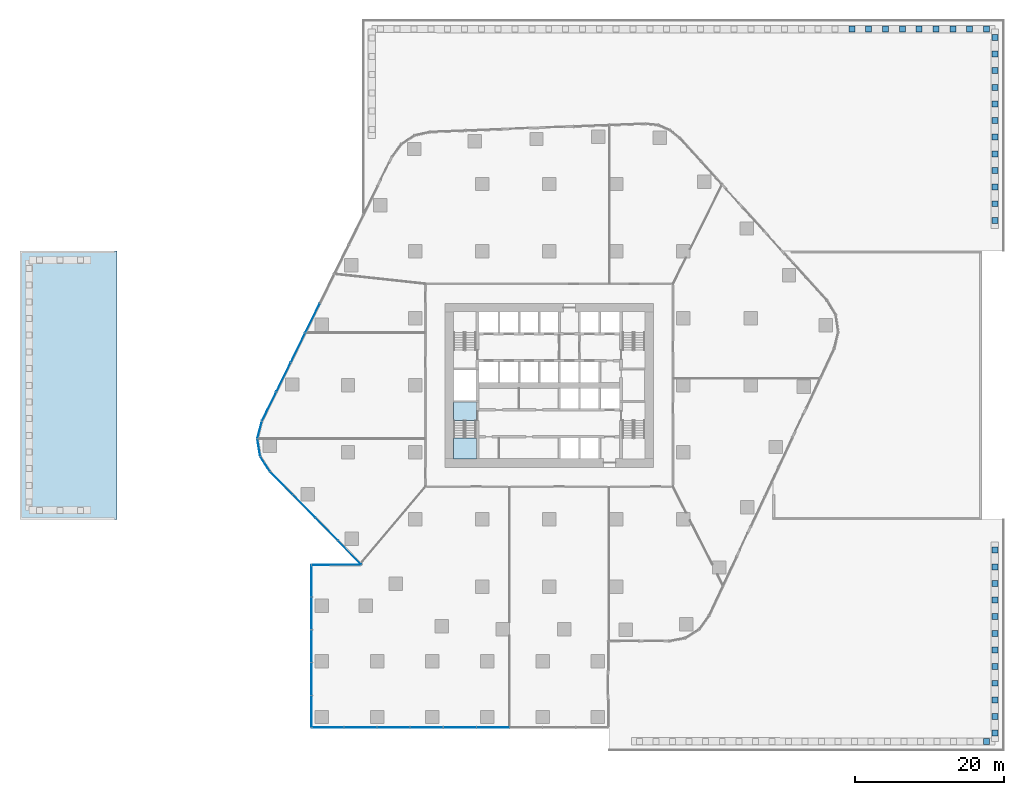
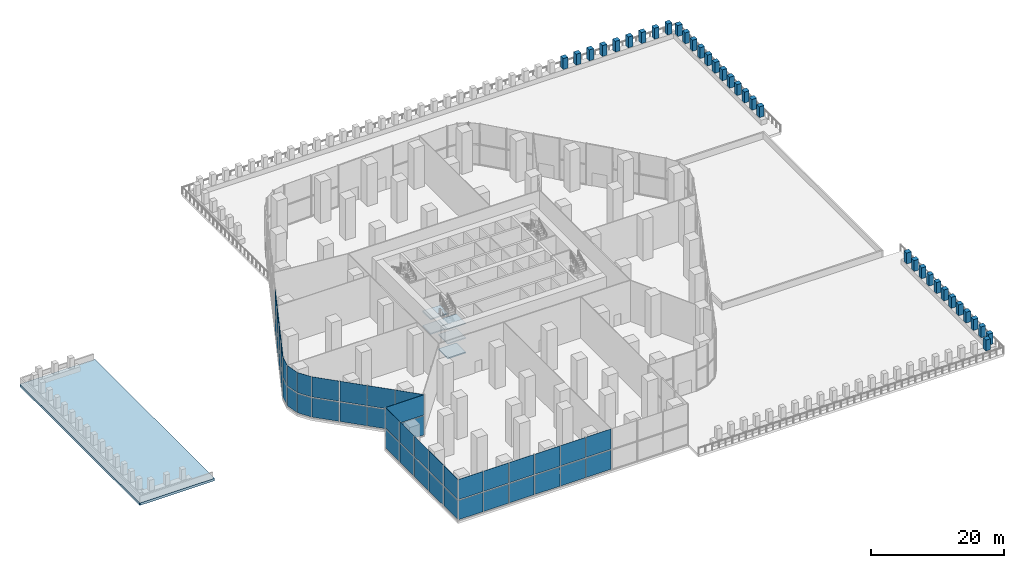
# One storey, part 10 of 22: 46 plates, 34 members, 6 slabs, 7 elements without a shape of their own.
"""IFC4 building model written with IfcOpenShell, lengths in metres."""

from ifc_helpers import new_model, si_unit, direction, frame, origin, origin_2d, place, context, subcontext, project, spatial, polyline, rectangle, outline, extrude, material, layer, layer_set, material_profile, profile_set, type_object, element, aggregate, save


model = new_model("IFC4")

# Units and contexts
model_context = context("Model", 3, precision=1e-05, world=origin(), true_north=direction((0.0, 1.0)))
body_context = subcontext(model_context, "Body", "Model", "MODEL_VIEW")
ifc_project = project(units=[si_unit("LENGTHUNIT", "METRE"), si_unit("AREAUNIT", "SQUARE_METRE"), si_unit("VOLUMEUNIT", "CUBIC_METRE"), si_unit("PLANEANGLEUNIT", "RADIAN"), si_unit("MASSUNIT", "GRAM", prefix="KILO")], contexts=[model_context])

# Site, building, storey
site_placement = place(None, origin())
site = spatial("IfcSite", under=ifc_project, at=site_placement, CompositionType="ELEMENT")
building_placement = place(site_placement, origin())
building = spatial("IfcBuilding", under=site, at=building_placement, Name="Dongbaek Canopy Tower", CompositionType="ELEMENT")
storey_placement = place(building_placement, frame((0.0, 0.0, 19.0)))
storey = spatial("IfcBuildingStorey", under=building, at=storey_placement, Name="L02", CompositionType="ELEMENT", Elevation=19.0)

# Members
ifc_material_1 = material(Name="Concrete C40/50 planter mass with planting", Category="concrete")
ifc_material_profile = material_profile(ifc_material_1, rectangle(XDim=0.800048828125, YDim=0.800048828125, at=origin_2d()), Name="Shrub planting 800 x 800 x 2000")
ifc_profile_set = profile_set([ifc_material_profile], Name="Concrete C40/50 planter mass with planting")
member_type = type_object("IfcMemberType", Name="Shrub planting 800 x 800 x 2000", PredefinedType="USERDEFINED", material=ifc_profile_set)
for number, where, z_axis, x_axis, name in (
    (1, (40.589111328125, 47.787109375, 0.89990234375), (0.0, 0.0, 1.0), (1.0, 0.0, 0.0), "Podium shrub planting 35"),
    (2, (42.847900390625, 47.787109375, 0.89990234375), (0.0, 0.0, 1.0), (1.0, 0.0, 0.0), "Podium shrub planting 36"),
    (3, (45.10693359375, 47.786865234375, 0.89990234375), (0.0, 0.0, 1.0), (1.0, 0.0, 0.0), "Podium shrub planting 37"),
    (4, (47.36572265625, 47.786865234375, 0.89990234375), (0.0, 0.0, 1.0), (1.0, 0.0, 0.0), "Podium shrub planting 38"),
    (5, (49.624755859375, 47.78662109375, 0.89990234375), (0.0, 0.0, 1.0), (1.0, 0.0, 0.0), "Podium shrub planting 39"),
    (6, (51.883544921875, 47.78662109375, 0.89990234375), (0.0, 0.0, 1.0), (1.0, 0.0, 0.0), "Podium shrub planting 40"),
    (7, (54.142578125, 47.786376953125, 0.89990234375), (0.0, 0.0, 1.0), (1.0, 0.0, 0.0), "Podium shrub planting 41"),
    (8, (56.4013671875, 47.786376953125, 0.89990234375), (0.0, 0.0, 1.0), (1.0, 0.0, 0.0), "Podium shrub planting 42"),
    (9, (58.660400390625, 47.786376953125, 0.89990234375), (0.0, 0.0, 1.0), (1.0, 0.0, 0.0), "Podium shrub planting 43"),
    (10, (59.789794921875, 46.67041015625, 0.89990234375), (0.0, 0.0, 1.0), (1.0, 0.0, 0.0), "Podium shrub planting 44"),
    (11, (59.78955078125, 44.4384765625, 0.89990234375), (0.0, 0.0, 1.0), (1.0, 0.0, 0.0), "Podium shrub planting 45"),
    (12, (59.7890625, 42.206787109375, 0.89990234375), (0.0, 0.0, 1.0), (1.0, 0.0, 0.0), "Podium shrub planting 46"),
    (13, (59.788818359375, 39.97509765625, 0.89990234375), (0.0, 0.0, 1.0), (1.0, 0.0, 0.0), "Podium shrub planting 47"),
    (14, (59.78857421875, 37.7431640625, 0.89990234375), (0.0, 0.0, 1.0), (1.0, 0.0, 0.0), "Podium shrub planting 48"),
    (15, (59.788330078125, 35.511474609375, 0.89990234375), (0.0, 0.0, 1.0), (1.0, 0.0, 0.0), "Podium shrub planting 49"),
    (16, (59.7880859375, 33.279541015625, 0.89990234375), (0.0, 0.0, 1.0), (1.0, 0.0, 0.0), "Podium shrub planting 50"),
    (17, (59.787841796875, 31.0478515625, 0.89990234375), (0.0, 0.0, 1.0), (1.0, 0.0, 0.0), "Podium shrub planting 51"),
    (18, (59.78759765625, 28.816162109375, 0.89990234375), (0.0, 0.0, 1.0), (1.0, 0.0, 0.0), "Podium shrub planting 52"),
    (19, (59.787353515625, 26.584228515625, 0.89990234375), (0.0, 0.0, 1.0), (1.0, 0.0, 0.0), "Podium shrub planting 53"),
    (20, (59.786865234375, 24.3525390625, 0.89990234375), (0.0, 0.0, 1.0), (1.0, 0.0, 0.0), "Podium shrub planting 54"),
    (21, (59.78662109375, 22.12060546875, 0.89990234375), (0.0, 0.0, 1.0), (1.0, 0.0, 0.0), "Podium shrub planting 55"),
    (22, (59.78662109375, -22.12060546875, 0.89990234375), (0.0, 0.0, 1.0), (1.0, 0.0, 0.0), "Podium shrub planting 56"),
    (23, (59.786865234375, -24.3525390625, 0.89990234375), (0.0, 0.0, 1.0), (1.0, 0.0, 0.0), "Podium shrub planting 57"),
    (24, (59.787353515625, -26.584228515625, 0.89990234375), (0.0, 0.0, 1.0), (1.0, 0.0, 0.0), "Podium shrub planting 58"),
    (25, (59.78759765625, -28.81591796875, 0.89990234375), (0.0, 0.0, 1.0), (1.0, 0.0, 0.0), "Podium shrub planting 59"),
    (26, (59.787841796875, -31.0478515625, 0.89990234375), (0.0, 0.0, 1.0), (1.0, 0.0, 0.0), "Podium shrub planting 60"),
    (27, (59.7880859375, -33.279541015625, 0.89990234375), (0.0, 0.0, 1.0), (1.0, 0.0, 0.0), "Podium shrub planting 61"),
    (28, (59.788330078125, -35.51123046875, 0.89990234375), (0.0, 0.0, 1.0), (1.0, 0.0, 0.0), "Podium shrub planting 62"),
    (29, (59.78857421875, -37.7431640625, 0.89990234375), (0.0, 0.0, 1.0), (1.0, 0.0, 0.0), "Podium shrub planting 63"),
    (30, (59.788818359375, -39.974853515625, 0.89990234375), (0.0, 0.0, 1.0), (1.0, 0.0, 0.0), "Podium shrub planting 64"),
    (31, (59.7890625, -42.20654296875, 0.89990234375), (0.0, 0.0, 1.0), (1.0, 0.0, 0.0), "Podium shrub planting 65"),
    (32, (59.78955078125, -44.4384765625, 0.89990234375), (0.0, 0.0, 1.0), (1.0, 0.0, 0.0), "Podium shrub planting 66"),
    (33, (59.789794921875, -46.670166015625, 0.89990234375), (0.0, 0.0, 1.0), (1.0, 0.0, 0.0), "Podium shrub planting 67"),
    (34, (58.68115234375, -47.785888671875, 0.89990234375), (0.0, 0.0, 1.0), (1.0, 0.0, 0.0), "Podium shrub planting 68"),
):
    element("IfcMember", number, at=place(storey_placement, frame(where, z_axis=z_axis, x_axis=x_axis)), inside=storey, type_object=member_type, Name=name, ObjectType="PLANTING", PredefinedType="USERDEFINED", context=body_context, shape_type="SweptSolid", body=[
        extrude(rectangle(XDim=0.800048828125, YDim=0.800048828125, at=origin_2d()), origin(), (0.0, 0.0, 1.0), 2.0),
    ])

# Curtain wall, plates
ifc_material_2 = material(Name="Aluminium 6063-T6 pale anodised", Category="aluminium")
ifc_layer_1 = layer(ifc_material_2, 0.300048828125)
ifc_layer_set_1 = layer_set([ifc_layer_1], Name="CW-2 podium hall curtain wall")
curtain_wall_type = type_object("IfcCurtainWallType", Name="CW-2 podium hall curtain wall", PredefinedType="NOTDEFINED", material=ifc_layer_set_1)
curtain_wall_1_placement = place(storey_placement, origin())
curtain_wall_1 = element("IfcCurtainWall", 35, at=curtain_wall_1_placement, inside=storey, type_object=curtain_wall_type, Name="CW-2 curtain wall F3.1", PredefinedType="NOTDEFINED")
ifc_material_3 = material(Name="Clear laminated glass", Category="glass")
ifc_layer_2 = layer(ifc_material_3, 0.035888671875)
ifc_layer_set_2 = layer_set([ifc_layer_2], Name="CW-2 glazed panel 36")
plate_type = type_object("IfcPlateType", Name="CW-2 glazed panel 36", PredefinedType="CURTAIN_PANEL", material=ifc_layer_set_2)
plate_1_placement = place(storey_placement, frame((-31.7685546875, 8.98046875, 0.16015625), z_axis=(0.0, 0.0, 1.0), x_axis=(-0.441341613378, -0.897339166815, 0.0)))
plate_1 = element("IfcPlate", 36, at=plate_1_placement, type_object=plate_type, Name="CW-2 panel F3.1.5.1", PredefinedType="CURTAIN_PANEL", context=body_context, shape_type="SweptSolid", body=[
    extrude(rectangle(XDim=4.29541015625, YDim=0.035888671875, at=origin_2d()), origin(), (0.0, 0.0, 1.0), 3.534912109375),
])
plate_2_placement = place(storey_placement, frame((-31.7685546875, 8.98046875, 3.85498046875), z_axis=(0.0, 0.0, 1.0), x_axis=(-0.441341613378, -0.897339166815, 0.0)))
plate_2 = element("IfcPlate", 37, at=plate_2_placement, type_object=plate_type, Name="CW-2 panel F3.1.5.2", PredefinedType="CURTAIN_PANEL", context=body_context, shape_type="SweptSolid", body=[
    extrude(rectangle(XDim=4.29541015625, YDim=0.035888671875, at=origin_2d()), origin(), (0.0, 0.0, 1.0), 3.695068359375),
])
plate_3_placement = place(storey_placement, frame((-33.710205078125, 5.032470703125, 0.16015625), z_axis=(0.0, 0.0, 1.0), x_axis=(-0.441341613378, -0.897339166815, 0.0)))
plate_3 = element("IfcPlate", 38, at=plate_3_placement, type_object=plate_type, Name="CW-2 panel F3.1.6.1", PredefinedType="CURTAIN_PANEL", context=body_context, shape_type="SweptSolid", body=[
    extrude(rectangle(XDim=4.29541015625, YDim=0.035888671875, at=origin_2d()), origin(), (0.0, 0.0, 1.0), 3.534912109375),
])
plate_4_placement = place(storey_placement, frame((-33.710205078125, 5.032470703125, 3.85498046875), z_axis=(0.0, 0.0, 1.0), x_axis=(-0.441341613378, -0.897339166815, 0.0)))
plate_4 = element("IfcPlate", 39, at=plate_4_placement, type_object=plate_type, Name="CW-2 panel F3.1.6.2", PredefinedType="CURTAIN_PANEL", context=body_context, shape_type="SweptSolid", body=[
    extrude(rectangle(XDim=4.29541015625, YDim=0.035888671875, at=origin_2d()), origin(), (0.0, 0.0, 1.0), 3.695068359375),
])
plate_5_placement = place(storey_placement, frame((-35.65185546875, 1.084716796875, 0.16015625), z_axis=(0.0, 0.0, 1.0), x_axis=(-0.441341613378, -0.897339166815, 0.0)))
plate_5 = element("IfcPlate", 40, at=plate_5_placement, type_object=plate_type, Name="CW-2 panel F3.1.7.1", PredefinedType="CURTAIN_PANEL", context=body_context, shape_type="SweptSolid", body=[
    extrude(rectangle(XDim=4.29541015625, YDim=0.035888671875, at=origin_2d()), origin(), (0.0, 0.0, 1.0), 3.534912109375),
])
plate_6_placement = place(storey_placement, frame((-35.65185546875, 1.084716796875, 3.85498046875), z_axis=(0.0, 0.0, 1.0), x_axis=(-0.441341613378, -0.897339166815, 0.0)))
plate_6 = element("IfcPlate", 41, at=plate_6_placement, type_object=plate_type, Name="CW-2 panel F3.1.7.2", PredefinedType="CURTAIN_PANEL", context=body_context, shape_type="SweptSolid", body=[
    extrude(rectangle(XDim=4.29541015625, YDim=0.035888671875, at=origin_2d()), origin(), (0.0, 0.0, 1.0), 3.695068359375),
])
plate_7_placement = place(storey_placement, frame((-37.59130859375, -2.8583984375, 0.16015625), z_axis=(0.0, 0.0, 1.0), x_axis=(-0.441341613378, -0.897339166815, 0.0)))
plate_7 = element("IfcPlate", 42, at=plate_7_placement, type_object=plate_type, Name="CW-2 panel F3.1.8.1", PredefinedType="CURTAIN_PANEL", context=body_context, shape_type="SweptSolid", body=[
    extrude(rectangle(XDim=4.28515625, YDim=0.035888671875, at=origin_2d()), origin(), (0.0, 0.0, 1.0), 3.534912109375),
])
plate_8_placement = place(storey_placement, frame((-37.59130859375, -2.8583984375, 3.85498046875), z_axis=(0.0, 0.0, 1.0), x_axis=(-0.441341613378, -0.897339166815, 0.0)))
plate_8 = element("IfcPlate", 43, at=plate_8_placement, type_object=plate_type, Name="CW-2 panel F3.1.8.2", PredefinedType="CURTAIN_PANEL", context=body_context, shape_type="SweptSolid", body=[
    extrude(rectangle(XDim=4.28515625, YDim=0.035888671875, at=origin_2d()), origin(), (0.0, 0.0, 1.0), 3.695068359375),
])
aggregate(curtain_wall_1, [plate_1, plate_2, plate_3, plate_4, plate_5, plate_6, plate_7, plate_8])

curtain_wall_2_placement = place(storey_placement, origin())
curtain_wall_2 = element("IfcCurtainWall", 44, at=curtain_wall_2_placement, inside=storey, type_object=curtain_wall_type, Name="CW-2 curtain wall K4.1", PredefinedType="NOTDEFINED")
plate_9_placement = place(storey_placement, frame((-38.86083984375, -6.000244140625, 0.16015625), z_axis=(0.0, 0.0, 1.0), x_axis=(-0.248641038295, -0.968595702074, 0.0)))
plate_9 = element("IfcPlate", 45, at=plate_9_placement, type_object=plate_type, Name="CW-2 panel K4.1.1.1", PredefinedType="CURTAIN_PANEL", context=body_context, shape_type="SweptSolid", body=[
    extrude(rectangle(XDim=2.317138671875, YDim=0.035888671875, at=origin_2d()), origin(), (0.0, 0.0, 1.0), 3.534912109375),
])
plate_10_placement = place(storey_placement, frame((-38.86083984375, -6.000244140625, 3.85498046875), z_axis=(0.0, 0.0, 1.0), x_axis=(-0.248641038295, -0.968595702074, 0.0)))
plate_10 = element("IfcPlate", 46, at=plate_10_placement, type_object=plate_type, Name="CW-2 panel K4.1.1.2", PredefinedType="CURTAIN_PANEL", context=body_context, shape_type="SweptSolid", body=[
    extrude(rectangle(XDim=2.317138671875, YDim=0.035888671875, at=origin_2d()), origin(), (0.0, 0.0, 1.0), 3.695068359375),
])
plate_11_placement = place(storey_placement, frame((-38.969482421875, -8.36279296875, 0.16015625), z_axis=(0.0, 0.0, 1.0), x_axis=(0.159670565069, -0.987170355435, 0.0)))
plate_11 = element("IfcPlate", 47, at=plate_11_placement, type_object=plate_type, Name="CW-2 panel K4.1.2.1", PredefinedType="CURTAIN_PANEL", context=body_context, shape_type="SweptSolid", body=[
    extrude(rectangle(XDim=2.306640625, YDim=0.035888671875, at=origin_2d()), origin(), (0.0, 0.0, 1.0), 3.534912109375),
])
plate_12_placement = place(storey_placement, frame((-38.969482421875, -8.36279296875, 3.85498046875), z_axis=(0.0, 0.0, 1.0), x_axis=(0.159670565069, -0.987170355435, 0.0)))
plate_12 = element("IfcPlate", 48, at=plate_12_placement, type_object=plate_type, Name="CW-2 panel K4.1.2.2", PredefinedType="CURTAIN_PANEL", context=body_context, shape_type="SweptSolid", body=[
    extrude(rectangle(XDim=2.306640625, YDim=0.035888671875, at=origin_2d()), origin(), (0.0, 0.0, 1.0), 3.695068359375),
])
plate_13_placement = place(storey_placement, frame((-38.12158203125, -10.570556640625, 0.16015625), z_axis=(0.0, 0.0, 1.0), x_axis=(0.541305923405, -0.840825723493, 0.0)))
plate_13 = element("IfcPlate", 49, at=plate_13_placement, type_object=plate_type, Name="CW-2 panel K4.1.3.1", PredefinedType="CURTAIN_PANEL", context=body_context, shape_type="SweptSolid", body=[
    extrude(rectangle(XDim=2.317138671875, YDim=0.035888671875, at=origin_2d()), origin(), (0.0, 0.0, 1.0), 3.534912109375),
])
plate_14_placement = place(storey_placement, frame((-38.12158203125, -10.570556640625, 3.85498046875), z_axis=(0.0, 0.0, 1.0), x_axis=(0.541305923405, -0.840825723493, 0.0)))
plate_14 = element("IfcPlate", 50, at=plate_14_placement, type_object=plate_type, Name="CW-2 panel K4.1.3.2", PredefinedType="CURTAIN_PANEL", context=body_context, shape_type="SweptSolid", body=[
    extrude(rectangle(XDim=2.317138671875, YDim=0.035888671875, at=origin_2d()), origin(), (0.0, 0.0, 1.0), 3.695068359375),
])
aggregate(curtain_wall_2, [plate_9, plate_10, plate_11, plate_12, plate_13, plate_14])

curtain_wall_3_placement = place(storey_placement, origin())
curtain_wall_3 = element("IfcCurtainWall", 51, at=curtain_wall_3_placement, inside=storey, type_object=curtain_wall_type, Name="CW-2 curtain wall F4.1", PredefinedType="NOTDEFINED")
plate_15_placement = place(storey_placement, frame((-35.94970703125, -13.12841796875, 0.16015625), z_axis=(0.0, 0.0, 1.0), x_axis=(0.70171827376, -0.71245453488, 0.0)))
plate_15 = element("IfcPlate", 52, at=plate_15_placement, type_object=plate_type, Name="CW-2 panel F4.1.1.1", PredefinedType="CURTAIN_PANEL", context=body_context, shape_type="SweptSolid", body=[
    extrude(rectangle(XDim=4.21875, YDim=0.035888671875, at=origin_2d()), origin(), (0.0, 0.0, 1.0), 3.534912109375),
])
plate_16_placement = place(storey_placement, frame((-35.94970703125, -13.12841796875, 3.85498046875), z_axis=(0.0, 0.0, 1.0), x_axis=(0.70171827376, -0.71245453488, 0.0)))
plate_16 = element("IfcPlate", 53, at=plate_16_placement, type_object=plate_type, Name="CW-2 panel F4.1.1.2", PredefinedType="CURTAIN_PANEL", context=body_context, shape_type="SweptSolid", body=[
    extrude(rectangle(XDim=4.21875, YDim=0.035888671875, at=origin_2d()), origin(), (0.0, 0.0, 1.0), 3.695068359375),
])
plate_17_placement = place(storey_placement, frame((-32.91259765625, -16.2119140625, 0.16015625), z_axis=(0.0, 0.0, 1.0), x_axis=(0.70171827376, -0.71245453488, 0.0)))
plate_17 = element("IfcPlate", 54, at=plate_17_placement, type_object=plate_type, Name="CW-2 panel F4.1.2.1", PredefinedType="CURTAIN_PANEL", context=body_context, shape_type="SweptSolid", body=[
    extrude(rectangle(XDim=4.229248046875, YDim=0.035888671875, at=origin_2d()), origin(), (0.0, 0.0, 1.0), 3.534912109375),
])
plate_18_placement = place(storey_placement, frame((-32.91259765625, -16.2119140625, 3.85498046875), z_axis=(0.0, 0.0, 1.0), x_axis=(0.70171827376, -0.71245453488, 0.0)))
plate_18 = element("IfcPlate", 55, at=plate_18_placement, type_object=plate_type, Name="CW-2 panel F4.1.2.2", PredefinedType="CURTAIN_PANEL", context=body_context, shape_type="SweptSolid", body=[
    extrude(rectangle(XDim=4.229248046875, YDim=0.035888671875, at=origin_2d()), origin(), (0.0, 0.0, 1.0), 3.695068359375),
])
plate_19_placement = place(storey_placement, frame((-29.871826171875, -19.299072265625, 0.16015625), z_axis=(0.0, 0.0, 1.0), x_axis=(0.70171827376, -0.71245453488, 0.0)))
plate_19 = element("IfcPlate", 56, at=plate_19_placement, type_object=plate_type, Name="CW-2 panel F4.1.3.1", PredefinedType="CURTAIN_PANEL", context=body_context, shape_type="SweptSolid", body=[
    extrude(rectangle(XDim=4.229248046875, YDim=0.035888671875, at=origin_2d()), origin(), (0.0, 0.0, 1.0), 3.534912109375),
])
plate_20_placement = place(storey_placement, frame((-29.871826171875, -19.299072265625, 3.85498046875), z_axis=(0.0, 0.0, 1.0), x_axis=(0.70171827376, -0.71245453488, 0.0)))
plate_20 = element("IfcPlate", 57, at=plate_20_placement, type_object=plate_type, Name="CW-2 panel F4.1.3.2", PredefinedType="CURTAIN_PANEL", context=body_context, shape_type="SweptSolid", body=[
    extrude(rectangle(XDim=4.229248046875, YDim=0.035888671875, at=origin_2d()), origin(), (0.0, 0.0, 1.0), 3.695068359375),
])
plate_21_placement = place(storey_placement, frame((-26.774658203125, -22.4599609375, 0.16015625), z_axis=(0.0, 0.0, 1.0), x_axis=(0.698119681165, -0.71598108269, 0.0)))
plate_21 = element("IfcPlate", 58, at=plate_21_placement, type_object=plate_type, Name="CW-2 panel F4.1.4.1", PredefinedType="CURTAIN_PANEL", context=body_context, shape_type="SweptSolid", body=[
    extrude(rectangle(XDim=4.413818359375, YDim=0.035888671875, at=origin_2d()), origin(), (0.0, 0.0, 1.0), 3.534912109375),
])
plate_22_placement = place(storey_placement, frame((-26.774658203125, -22.4599609375, 3.85498046875), z_axis=(0.0, 0.0, 1.0), x_axis=(0.698119681165, -0.71598108269, 0.0)))
plate_22 = element("IfcPlate", 59, at=plate_22_placement, type_object=plate_type, Name="CW-2 panel F4.1.4.2", PredefinedType="CURTAIN_PANEL", context=body_context, shape_type="SweptSolid", body=[
    extrude(rectangle(XDim=4.413818359375, YDim=0.035888671875, at=origin_2d()), origin(), (0.0, 0.0, 1.0), 3.695068359375),
])
aggregate(curtain_wall_3, [plate_15, plate_16, plate_17, plate_18, plate_19, plate_20, plate_21, plate_22])

curtain_wall_4_placement = place(storey_placement, origin())
curtain_wall_4 = element("IfcCurtainWall", 60, at=curtain_wall_4_placement, inside=storey, type_object=curtain_wall_type, Name="CW-2 curtain wall F5.1", PredefinedType="NOTDEFINED")
plate_23_placement = place(storey_placement, frame((-28.548828125, -24.088623046875, 0.16015625), z_axis=(0.0, 0.0, 1.0), x_axis=(-0.999994232996, -0.003396170688, 0.0)))
plate_23 = element("IfcPlate", 61, at=plate_23_placement, type_object=plate_type, Name="CW-2 panel F5.1.1.1", PredefinedType="CURTAIN_PANEL", context=body_context, shape_type="SweptSolid", body=[
    extrude(rectangle(XDim=6.598388671875, YDim=0.035888671875, at=origin_2d()), origin(), (0.0, 0.0, 1.0), 3.534912109375),
])
plate_24_placement = place(storey_placement, frame((-28.548828125, -24.088623046875, 3.85498046875), z_axis=(0.0, 0.0, 1.0), x_axis=(-0.999994232996, -0.003396170688, 0.0)))
plate_24 = element("IfcPlate", 62, at=plate_24_placement, type_object=plate_type, Name="CW-2 panel F5.1.1.2", PredefinedType="CURTAIN_PANEL", context=body_context, shape_type="SweptSolid", body=[
    extrude(rectangle(XDim=6.598388671875, YDim=0.035888671875, at=origin_2d()), origin(), (0.0, 0.0, 1.0), 3.695068359375),
])
aggregate(curtain_wall_4, [plate_23, plate_24])

curtain_wall_5_placement = place(storey_placement, origin())
curtain_wall_5 = element("IfcCurtainWall", 63, at=curtain_wall_5_placement, inside=storey, type_object=curtain_wall_type, Name="CW-2 curtain wall F6.1", PredefinedType="NOTDEFINED")
plate_25_placement = place(storey_placement, frame((-31.89990234375, -26.25, 0.16015625), z_axis=(0.0, 0.0, 1.0), x_axis=(0.0, -1.0, 0.0)))
plate_25 = element("IfcPlate", 64, at=plate_25_placement, type_object=plate_type, Name="CW-2 panel F6.1.1.1", PredefinedType="CURTAIN_PANEL", context=body_context, shape_type="SweptSolid", body=[
    extrude(rectangle(XDim=4.196044921875, YDim=0.035888671875, at=origin_2d()), origin(), (0.0, 0.0, 1.0), 3.534912109375),
])
plate_26_placement = place(storey_placement, frame((-31.89990234375, -26.25, 3.85498046875), z_axis=(0.0, 0.0, 1.0), x_axis=(0.0, -1.0, 0.0)))
plate_26 = element("IfcPlate", 65, at=plate_26_placement, type_object=plate_type, Name="CW-2 panel F6.1.1.2", PredefinedType="CURTAIN_PANEL", context=body_context, shape_type="SweptSolid", body=[
    extrude(rectangle(XDim=4.196044921875, YDim=0.035888671875, at=origin_2d()), origin(), (0.0, 0.0, 1.0), 3.695068359375),
])
plate_27_placement = place(storey_placement, frame((-31.89990234375, -30.60009765625, 0.16015625), z_axis=(0.0, 0.0, 1.0), x_axis=(0.0, -1.0, 0.0)))
plate_27 = element("IfcPlate", 66, at=plate_27_placement, type_object=plate_type, Name="CW-2 panel F6.1.2.1", PredefinedType="CURTAIN_PANEL", context=body_context, shape_type="SweptSolid", body=[
    extrude(rectangle(XDim=4.2958984375, YDim=0.035888671875, at=origin_2d()), origin(), (0.0, 0.0, 1.0), 3.534912109375),
])
plate_28_placement = place(storey_placement, frame((-31.89990234375, -30.60009765625, 3.85498046875), z_axis=(0.0, 0.0, 1.0), x_axis=(0.0, -1.0, 0.0)))
plate_28 = element("IfcPlate", 67, at=plate_28_placement, type_object=plate_type, Name="CW-2 panel F6.1.2.2", PredefinedType="CURTAIN_PANEL", context=body_context, shape_type="SweptSolid", body=[
    extrude(rectangle(XDim=4.2958984375, YDim=0.035888671875, at=origin_2d()), origin(), (0.0, 0.0, 1.0), 3.695068359375),
])
plate_29_placement = place(storey_placement, frame((-31.89990234375, -35.0, 0.16015625), z_axis=(0.0, 0.0, 1.0), x_axis=(0.0, -1.0, 0.0)))
plate_29 = element("IfcPlate", 68, at=plate_29_placement, type_object=plate_type, Name="CW-2 panel F6.1.3.1", PredefinedType="CURTAIN_PANEL", context=body_context, shape_type="SweptSolid", body=[
    extrude(rectangle(XDim=4.2958984375, YDim=0.035888671875, at=origin_2d()), origin(), (0.0, 0.0, 1.0), 3.534912109375),
])
plate_30_placement = place(storey_placement, frame((-31.89990234375, -35.0, 3.85498046875), z_axis=(0.0, 0.0, 1.0), x_axis=(0.0, -1.0, 0.0)))
plate_30 = element("IfcPlate", 69, at=plate_30_placement, type_object=plate_type, Name="CW-2 panel F6.1.3.2", PredefinedType="CURTAIN_PANEL", context=body_context, shape_type="SweptSolid", body=[
    extrude(rectangle(XDim=4.2958984375, YDim=0.035888671875, at=origin_2d()), origin(), (0.0, 0.0, 1.0), 3.695068359375),
])
plate_31_placement = place(storey_placement, frame((-31.89990234375, -39.39990234375, 0.16015625), z_axis=(0.0, 0.0, 1.0), x_axis=(0.0, -1.0, 0.0)))
plate_31 = element("IfcPlate", 70, at=plate_31_placement, type_object=plate_type, Name="CW-2 panel F6.1.4.1", PredefinedType="CURTAIN_PANEL", context=body_context, shape_type="SweptSolid", body=[
    extrude(rectangle(XDim=4.2958984375, YDim=0.035888671875, at=origin_2d()), origin(), (0.0, 0.0, 1.0), 3.534912109375),
])
plate_32_placement = place(storey_placement, frame((-31.89990234375, -39.39990234375, 3.85498046875), z_axis=(0.0, 0.0, 1.0), x_axis=(0.0, -1.0, 0.0)))
plate_32 = element("IfcPlate", 71, at=plate_32_placement, type_object=plate_type, Name="CW-2 panel F6.1.4.2", PredefinedType="CURTAIN_PANEL", context=body_context, shape_type="SweptSolid", body=[
    extrude(rectangle(XDim=4.2958984375, YDim=0.035888671875, at=origin_2d()), origin(), (0.0, 0.0, 1.0), 3.695068359375),
])
plate_33_placement = place(storey_placement, frame((-31.89990234375, -43.75, 0.16015625), z_axis=(0.0, 0.0, 1.0), x_axis=(0.0, -1.0, 0.0)))
plate_33 = element("IfcPlate", 72, at=plate_33_placement, type_object=plate_type, Name="CW-2 panel F6.1.5.1", PredefinedType="CURTAIN_PANEL", context=body_context, shape_type="SweptSolid", body=[
    extrude(rectangle(XDim=4.196044921875, YDim=0.035888671875, at=origin_2d()), origin(), (0.0, 0.0, 1.0), 3.534912109375),
])
plate_34_placement = place(storey_placement, frame((-31.89990234375, -43.75, 3.85498046875), z_axis=(0.0, 0.0, 1.0), x_axis=(0.0, -1.0, 0.0)))
plate_34 = element("IfcPlate", 73, at=plate_34_placement, type_object=plate_type, Name="CW-2 panel F6.1.5.2", PredefinedType="CURTAIN_PANEL", context=body_context, shape_type="SweptSolid", body=[
    extrude(rectangle(XDim=4.196044921875, YDim=0.035888671875, at=origin_2d()), origin(), (0.0, 0.0, 1.0), 3.695068359375),
])
aggregate(curtain_wall_5, [plate_25, plate_26, plate_27, plate_28, plate_29, plate_30, plate_31, plate_32, plate_33, plate_34])

curtain_wall_6_placement = place(storey_placement, origin())
curtain_wall_6 = element("IfcCurtainWall", 74, at=curtain_wall_6_placement, inside=storey, type_object=curtain_wall_type, Name="CW-2 curtain wall F7.1", PredefinedType="NOTDEFINED")
plate_35_placement = place(storey_placement, frame((-29.727783203125, -45.89990234375, 0.16015625), z_axis=(0.0, 0.0, 1.0), x_axis=(1.0, 0.0, 0.0)))
plate_35 = element("IfcPlate", 75, at=plate_35_placement, type_object=plate_type, Name="CW-2 panel F7.1.1.1", PredefinedType="CURTAIN_PANEL", context=body_context, shape_type="SweptSolid", body=[
    extrude(rectangle(XDim=4.240478515625, YDim=0.035888671875, at=origin_2d()), origin(), (0.0, 0.0, 1.0), 3.534912109375),
])
plate_36_placement = place(storey_placement, frame((-29.727783203125, -45.89990234375, 3.85498046875), z_axis=(0.0, 0.0, 1.0), x_axis=(1.0, 0.0, 0.0)))
plate_36 = element("IfcPlate", 76, at=plate_36_placement, type_object=plate_type, Name="CW-2 panel F7.1.1.2", PredefinedType="CURTAIN_PANEL", context=body_context, shape_type="SweptSolid", body=[
    extrude(rectangle(XDim=4.240478515625, YDim=0.035888671875, at=origin_2d()), origin(), (0.0, 0.0, 1.0), 3.695068359375),
])
plate_37_placement = place(storey_placement, frame((-25.333251953125, -45.89990234375, 0.16015625), z_axis=(0.0, 0.0, 1.0), x_axis=(1.0, 0.0, 0.0)))
plate_37 = element("IfcPlate", 77, at=plate_37_placement, type_object=plate_type, Name="CW-2 panel F7.1.2.1", PredefinedType="CURTAIN_PANEL", context=body_context, shape_type="SweptSolid", body=[
    extrude(rectangle(XDim=4.34033203125, YDim=0.035888671875, at=origin_2d()), origin(), (0.0, 0.0, 1.0), 3.534912109375),
])
plate_38_placement = place(storey_placement, frame((-25.333251953125, -45.89990234375, 3.85498046875), z_axis=(0.0, 0.0, 1.0), x_axis=(1.0, 0.0, 0.0)))
plate_38 = element("IfcPlate", 78, at=plate_38_placement, type_object=plate_type, Name="CW-2 panel F7.1.2.2", PredefinedType="CURTAIN_PANEL", context=body_context, shape_type="SweptSolid", body=[
    extrude(rectangle(XDim=4.34033203125, YDim=0.035888671875, at=origin_2d()), origin(), (0.0, 0.0, 1.0), 3.695068359375),
])
plate_39_placement = place(storey_placement, frame((-20.888916015625, -45.89990234375, 0.16015625), z_axis=(0.0, 0.0, 1.0), x_axis=(1.0, 0.0, 0.0)))
plate_39 = element("IfcPlate", 79, at=plate_39_placement, type_object=plate_type, Name="CW-2 panel F7.1.3.1", PredefinedType="CURTAIN_PANEL", context=body_context, shape_type="SweptSolid", body=[
    extrude(rectangle(XDim=4.34033203125, YDim=0.035888671875, at=origin_2d()), origin(), (0.0, 0.0, 1.0), 3.534912109375),
])
plate_40_placement = place(storey_placement, frame((-20.888916015625, -45.89990234375, 3.85498046875), z_axis=(0.0, 0.0, 1.0), x_axis=(1.0, 0.0, 0.0)))
plate_40 = element("IfcPlate", 80, at=plate_40_placement, type_object=plate_type, Name="CW-2 panel F7.1.3.2", PredefinedType="CURTAIN_PANEL", context=body_context, shape_type="SweptSolid", body=[
    extrude(rectangle(XDim=4.34033203125, YDim=0.035888671875, at=origin_2d()), origin(), (0.0, 0.0, 1.0), 3.695068359375),
])
plate_41_placement = place(storey_placement, frame((-16.4443359375, -45.89990234375, 0.16015625), z_axis=(0.0, 0.0, 1.0), x_axis=(1.0, 0.0, 0.0)))
plate_41 = element("IfcPlate", 81, at=plate_41_placement, type_object=plate_type, Name="CW-2 panel F7.1.4.1", PredefinedType="CURTAIN_PANEL", context=body_context, shape_type="SweptSolid", body=[
    extrude(rectangle(XDim=4.34033203125, YDim=0.035888671875, at=origin_2d()), origin(), (0.0, 0.0, 1.0), 3.534912109375),
])
plate_42_placement = place(storey_placement, frame((-16.4443359375, -45.89990234375, 3.85498046875), z_axis=(0.0, 0.0, 1.0), x_axis=(1.0, 0.0, 0.0)))
plate_42 = element("IfcPlate", 82, at=plate_42_placement, type_object=plate_type, Name="CW-2 panel F7.1.4.2", PredefinedType="CURTAIN_PANEL", context=body_context, shape_type="SweptSolid", body=[
    extrude(rectangle(XDim=4.34033203125, YDim=0.035888671875, at=origin_2d()), origin(), (0.0, 0.0, 1.0), 3.695068359375),
])
plate_43_placement = place(storey_placement, frame((-12.0, -45.89990234375, 0.16015625), z_axis=(0.0, 0.0, 1.0), x_axis=(1.0, 0.0, 0.0)))
plate_43 = element("IfcPlate", 83, at=plate_43_placement, type_object=plate_type, Name="CW-2 panel F7.1.5.1", PredefinedType="CURTAIN_PANEL", context=body_context, shape_type="SweptSolid", body=[
    extrude(rectangle(XDim=4.34033203125, YDim=0.035888671875, at=origin_2d()), origin(), (0.0, 0.0, 1.0), 3.534912109375),
])
plate_44_placement = place(storey_placement, frame((-12.0, -45.89990234375, 3.85498046875), z_axis=(0.0, 0.0, 1.0), x_axis=(1.0, 0.0, 0.0)))
plate_44 = element("IfcPlate", 84, at=plate_44_placement, type_object=plate_type, Name="CW-2 panel F7.1.5.2", PredefinedType="CURTAIN_PANEL", context=body_context, shape_type="SweptSolid", body=[
    extrude(rectangle(XDim=4.34033203125, YDim=0.035888671875, at=origin_2d()), origin(), (0.0, 0.0, 1.0), 3.695068359375),
])
plate_45_placement = place(storey_placement, frame((-7.5556640625, -45.89990234375, 0.16015625), z_axis=(0.0, 0.0, 1.0), x_axis=(1.0, 0.0, 0.0)))
plate_45 = element("IfcPlate", 85, at=plate_45_placement, type_object=plate_type, Name="CW-2 panel F7.1.6.1", PredefinedType="CURTAIN_PANEL", context=body_context, shape_type="SweptSolid", body=[
    extrude(rectangle(XDim=4.34033203125, YDim=0.035888671875, at=origin_2d()), origin(), (0.0, 0.0, 1.0), 3.534912109375),
])
plate_46_placement = place(storey_placement, frame((-7.5556640625, -45.89990234375, 3.85498046875), z_axis=(0.0, 0.0, 1.0), x_axis=(1.0, 0.0, 0.0)))
plate_46 = element("IfcPlate", 86, at=plate_46_placement, type_object=plate_type, Name="CW-2 panel F7.1.6.2", PredefinedType="CURTAIN_PANEL", context=body_context, shape_type="SweptSolid", body=[
    extrude(rectangle(XDim=4.34033203125, YDim=0.035888671875, at=origin_2d()), origin(), (0.0, 0.0, 1.0), 3.695068359375),
])
aggregate(curtain_wall_6, [plate_35, plate_36, plate_37, plate_38, plate_39, plate_40, plate_41, plate_42, plate_43, plate_44, plate_45, plate_46])

# Stair, slabs
ifc_material_4 = material(Name="Concrete C40/50", Category="concrete")
stair_type = type_object("IfcStairType", Name="Core exit stair", PredefinedType="HALF_TURN_STAIR", material=ifc_material_4)
stair_placement = place(storey_placement, origin())
stair = element("IfcStair", 87, at=stair_placement, inside=storey, type_object=stair_type, Name="L02 exit stair D", PredefinedType="HALF_TURN_STAIR")
ifc_material_5 = material(Name="Concrete C40/50", Category="concrete")
ifc_layer_3 = layer(ifc_material_5, 0.199951171875)
ifc_layer_set_3 = layer_set([ifc_layer_3], Name="Core stair landing 200")
slab_type_1 = type_object("IfcSlabType", Name="Core stair landing 200", PredefinedType="LANDING", material=ifc_layer_set_3)
slab_1_placement = place(storey_placement, frame((0.0, 0.0, 1.13330078125)))
slab_1 = element("IfcSlab", 88, at=slab_1_placement, type_object=slab_type_1, Name="ST-D landing 1", PredefinedType="LANDING", context=body_context, shape_type="SweptSolid", body=[
    extrude(outline(polyline([(-12.875, -7.080078125), (-12.875, -9.875), (-9.77490234375, -9.875), (-9.77490234375, -7.080078125), (-12.875, -7.080078125)])), origin(), (0.0, 0.0, 1.0), 0.199951171875),
])
slab_2_placement = place(storey_placement, frame((0.0, 0.0, 2.466552734375)))
slab_2 = element("IfcSlab", 89, at=slab_2_placement, type_object=slab_type_1, Name="ST-D landing 2", PredefinedType="LANDING", context=body_context, shape_type="SweptSolid", body=[
    extrude(outline(polyline([(-12.875, -2.22509765625), (-12.875, -4.699951171875), (-9.77490234375, -4.699951171875), (-9.77490234375, -2.22509765625), (-12.875, -2.22509765625)])), origin(), (0.0, 0.0, 1.0), 0.2001953125),
])
slab_3_placement = place(storey_placement, frame((0.0, 0.0, 3.800048828125)))
slab_3 = element("IfcSlab", 90, at=slab_3_placement, type_object=slab_type_1, Name="ST-D landing 3", PredefinedType="LANDING", context=body_context, shape_type="SweptSolid", body=[
    extrude(outline(polyline([(-12.875, -7.080078125), (-12.875, -9.875), (-9.77490234375, -9.875), (-9.77490234375, -7.080078125), (-12.875, -7.080078125)])), origin(), (0.0, 0.0, 1.0), 0.199951171875),
])
slab_4_placement = place(storey_placement, frame((0.0, 0.0, 5.13330078125)))
slab_4 = element("IfcSlab", 91, at=slab_4_placement, type_object=slab_type_1, Name="ST-D landing 4", PredefinedType="LANDING", context=body_context, shape_type="SweptSolid", body=[
    extrude(outline(polyline([(-12.875, -2.22509765625), (-12.875, -4.699951171875), (-9.77490234375, -4.699951171875), (-9.77490234375, -2.22509765625), (-12.875, -2.22509765625)])), origin(), (0.0, 0.0, 1.0), 0.199951171875),
])
slab_5_placement = place(storey_placement, frame((0.0, 0.0, 6.466552734375)))
slab_5 = element("IfcSlab", 92, at=slab_5_placement, type_object=slab_type_1, Name="ST-D landing 5", PredefinedType="LANDING", context=body_context, shape_type="SweptSolid", body=[
    extrude(outline(polyline([(-12.875, -7.080078125), (-12.875, -9.875), (-9.77490234375, -9.875), (-9.77490234375, -7.080078125), (-12.875, -7.080078125)])), origin(), (0.0, 0.0, 1.0), 0.2001953125),
])
aggregate(stair, [slab_1, slab_2, slab_3, slab_4, slab_5])

# Slab
ifc_material_6 = material(Name="Concrete C40", Category="concrete")
ifc_layer_4 = layer(ifc_material_6, 0.449951171875)
ifc_layer_set_4 = layer_set([ifc_layer_4], Name="RC PODIUM DECK SLAB 450 Concrete C40")
slab_type_2 = type_object("IfcSlabType", Name="RC PODIUM DECK SLAB 450 Concrete C40", PredefinedType="ROOF", material=ifc_layer_set_4)
slab_6_placement = place(storey_placement, frame((0.0, 0.0, -0.449951171875)))
element("IfcSlab", 93, at=slab_6_placement, inside=storey, type_object=slab_type_2, Name="Podium roof deck W", PredefinedType="ROOF", context=body_context, shape_type="SweptSolid", body=[
    extrude(outline(polyline([(-70.949951171875, -18.0), (-70.9853515625, -17.9853515625), (-71.0, -17.949951171875), (-70.99609375, 17.968994140625), (-70.949951171875, 18.0), (-58.031005859375, 17.99609375), (-58.0, 17.949951171875), (-58.00390625, -17.968994140625), (-58.050048828125, -18.0), (-70.949951171875, -18.0)])), origin(), (0.0, 0.0, 1.0), 0.449951171875),
])

save(model, "model.ifc")
